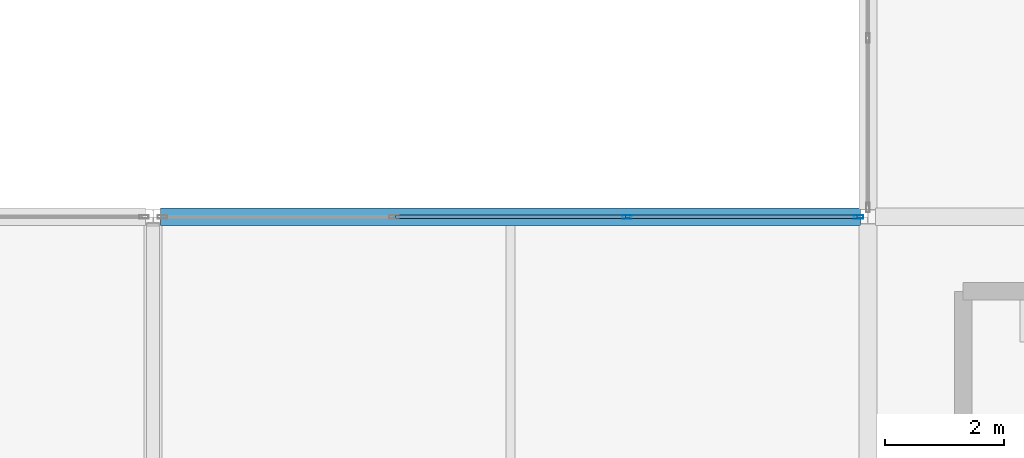
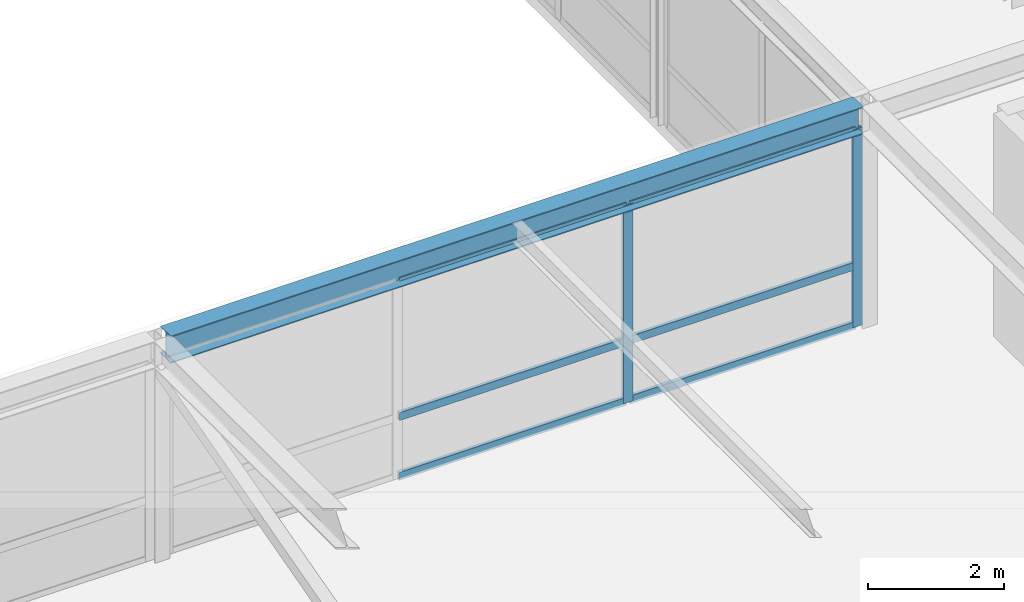
# One storey, part 38 of 111: 8 members, 1 beam, 1 element without a shape of its own.
"""IFC4 building model written with IfcOpenShell, lengths in metres."""

import ifcopenshell
import ifcopenshell.guid

model = None  # the IFC model being written
_history = None  # IfcOwnerHistory: only IFC2X3 demands one
_inside = {}  # id of a spatial element -> (the spatial element, [elements in it])
_under = {}  # id of a project, library or spatial element -> (it, [spatial elements below it])
_declared = {}  # id of a project -> (the project, [libraries it declares])
_typed = {}  # id of a type object -> (the type object, [elements of that type])
_made_of = {}  # id of a material, layer set ... -> (it, [elements and type objects made of it])


def new_model(schema):
    """Start an empty IFC model of exactly this schema.

    Asked for "IFC4X3", IfcOpenShell would pick the latest addendum, in which some entities
    have other attributes; the version numbers below select the first issue.
    IFC2X3 requires an IfcOwnerHistory on every rooted entity: one is made here for all.
    """
    global model, _history
    if schema == "IFC4X3":
        model = ifcopenshell.file(schema_version=(4, 3, 0, 0))
    else:
        model = ifcopenshell.file(schema=schema)
    _inside.clear()
    _under.clear()
    _declared.clear()
    _typed.clear()
    _made_of.clear()
    _history = None
    if model.schema == "IFC2X3":
        org = make("IfcOrganization", Name="unknown")
        user = make(
            "IfcPersonAndOrganization",
            ThePerson=make("IfcPerson", FamilyName="unknown"),
            TheOrganization=org,
        )
        app = make(
            "IfcApplication",
            ApplicationDeveloper=org,
            Version="unknown",
            ApplicationFullName="unknown",
            ApplicationIdentifier="unknown",
        )
        _history = make(
            "IfcOwnerHistory",
            OwningUser=user,
            OwningApplication=app,
            ChangeAction="ADDED",
            CreationDate=0,
        )
    return model


def make(cls, **values):
    """One entity of the class cls with the attributes given. An attribute that is None is left unset."""
    return model.create_entity(
        cls, **{name: value for name, value in values.items() if value is not None}
    )


def rooted(cls, **values):
    """An entity with a GlobalId (a new one), such as an element, a storey or a relation."""
    return make(cls, GlobalId=ifcopenshell.guid.new(), OwnerHistory=_history, **values)


def si_unit(unit_type, name, prefix=None):
    """IfcSIUnit, for example si_unit("LENGTHUNIT", "METRE", prefix="MILLI")."""
    return make("IfcSIUnit", UnitType=unit_type, Prefix=prefix, Name=name)


def assignment(units):
    """IfcUnitAssignment: the units of a project."""
    return None if units is None else make("IfcUnitAssignment", Units=units)


def point(xyz):
    """IfcCartesianPoint."""
    return None if xyz is None else make("IfcCartesianPoint", Coordinates=xyz)


def direction(xyz):
    """IfcDirection."""
    return None if xyz is None else make("IfcDirection", DirectionRatios=xyz)


def frame(location, z_axis=None, x_axis=None):
    """IfcAxis2Placement3D, a coordinate frame: its origin and axes. An axis left out is left unset."""
    return make(
        "IfcAxis2Placement3D",
        Location=point(location),
        Axis=direction(z_axis),
        RefDirection=direction(x_axis),
    )


def frame_2d(location, x_axis=None):
    """IfcAxis2Placement2D, a coordinate frame in the plane: its origin and x axis."""
    return make(
        "IfcAxis2Placement2D", Location=point(location), RefDirection=direction(x_axis)
    )


def origin():
    """The frame at (0, 0, 0) with its axes left unset."""
    return frame((0.0, 0.0, 0.0))


def origin_2d():
    """The frame at (0, 0) in the plane with its x axis left unset."""
    return frame_2d((0.0, 0.0))


def place(relative_to, where):
    """IfcLocalPlacement: puts the frame where relative to a parent placement (None: the world)."""
    return make(
        "IfcLocalPlacement", PlacementRelTo=relative_to, RelativePlacement=where
    )


def context(
    kind, dimensions, precision=None, world=None, true_north=None, identifier=None
):
    """IfcGeometricRepresentationContext, for example the 3D "Model" context."""
    return make(
        "IfcGeometricRepresentationContext",
        ContextIdentifier=identifier,
        ContextType=kind,
        CoordinateSpaceDimension=dimensions,
        Precision=precision,
        WorldCoordinateSystem=world,
        TrueNorth=true_north,
    )


def subcontext(parent, identifier, kind, view, scale=None):
    """IfcGeometricRepresentationSubContext, for example "Body" below "Model"."""
    return make(
        "IfcGeometricRepresentationSubContext",
        ContextIdentifier=identifier,
        ContextType=kind,
        ParentContext=parent,
        TargetScale=scale,
        TargetView=view,
    )


def project(units=None, contexts=None):
    """IfcProject with its units and contexts."""
    return rooted(
        "IfcProject",
        Name="project",
        RepresentationContexts=contexts,
        UnitsInContext=assignment(units),
    )


def spatial(cls, under=None, at=None, **own):
    """A site, building, storey or space (cls), placed at a placement, below another one or the project."""
    s = rooted(cls, ObjectPlacement=at, **own)
    if under is not None:
        _under.setdefault(under.id(), (under, []))[1].append(s)
    return s


def profile(cls, at=None, kind="AREA", **sizes):
    """A parametric profile (cls). Its sizes go by their IFC names, for example OverallWidth=200.0."""
    return make(cls, ProfileType=kind, Position=at, **sizes)


def hollow_rectangle(**sizes):
    """IfcRectangleHollowProfileDef."""
    return profile("IfcRectangleHollowProfileDef", **sizes)


def i_section(**sizes):
    """IfcIShapeProfileDef."""
    return profile("IfcIShapeProfileDef", **sizes)


def extrude(swept, where, along, depth):
    """IfcExtrudedAreaSolid: the profile swept, set in the frame where, extruded along a direction by depth."""
    return make(
        "IfcExtrudedAreaSolid",
        SweptArea=swept,
        Position=where,
        ExtrudedDirection=direction(along),
        Depth=depth,
    )


def shape(context_of_items, identifier, shape_type, items):
    """IfcShapeRepresentation: the items that make up one representation, for example the "Body"."""
    return make(
        "IfcShapeRepresentation",
        ContextOfItems=context_of_items,
        RepresentationIdentifier=identifier,
        RepresentationType=shape_type,
        Items=items,
    )


def material(Name=None, Category=None):
    """IfcMaterial."""
    return make("IfcMaterial", Name=Name, Category=Category)


def layer(
    of_material, thickness, ventilated=None, Name=None, Category=None, Priority=None
):
    """IfcMaterialLayer: one layer of a wall or slab, of a material (None: an air gap)."""
    return make(
        "IfcMaterialLayer",
        Material=of_material,
        LayerThickness=thickness,
        IsVentilated=ventilated,
        Name=Name,
        Category=Category,
        Priority=Priority,
    )


def layer_set(layers, Name=None):
    """IfcMaterialLayerSet."""
    return make("IfcMaterialLayerSet", MaterialLayers=layers, LayerSetName=Name)


def material_profile(
    of_material, cross_section, Name=None, Category=None, Priority=None
):
    """IfcMaterialProfile: a cross section and its material."""
    return make(
        "IfcMaterialProfile",
        Name=Name,
        Material=of_material,
        Profile=cross_section,
        Priority=Priority,
        Category=Category,
    )


def profile_set(profiles, Name=None, composite=None):
    """IfcMaterialProfileSet."""
    return make(
        "IfcMaterialProfileSet",
        Name=Name,
        MaterialProfiles=profiles,
        CompositeProfile=composite,
    )


def made_of(thing, what):
    """Note that an element or type object is made of a material, layer set ...; save() writes the relation."""
    if what is not None:
        _made_of.setdefault(what.id(), (what, []))[1].append(thing)
    return thing


def type_object(cls, material=None, **own):
    """A type object (cls), such as IfcWallType, which elements share."""
    return made_of(rooted(cls, **own), material)


def element(
    cls,
    number,
    at=None,
    inside=None,
    cuts=None,
    type_object=None,
    material=None,
    context=None,
    identifier="Body",
    shape_type=None,
    held_by="IfcProductDefinitionShape",
    body=None,
    shapes=None,
    **own,
):
    """One element of the class cls, such as IfcWall. Its Tag is "e" and its number.

    at: its placement. inside: the storey or other place that contains it. cuts: it is an
    opening in that element (IfcRelVoidsElement). A single representation is given by context,
    identifier, shape_type and body (its items); several are given by shapes. held_by: the class
    of the entity that holds the representations. save() writes the other relations.
    """
    e = rooted(cls, Tag="e%d" % number, ObjectPlacement=at, **own)
    if body is not None:
        shapes = [shape(context, identifier, shape_type, body)]
    if shapes is not None:
        e.Representation = make(held_by, Representations=shapes)
    if inside is not None:
        _inside.setdefault(inside.id(), (inside, []))[1].append(e)
    if cuts is not None:
        rooted(
            "IfcRelVoidsElement", RelatingBuildingElement=cuts, RelatedOpeningElement=e
        )
    if type_object is not None:
        _typed.setdefault(type_object.id(), (type_object, []))[1].append(e)
    return made_of(e, material)


def aggregate(whole, parts):
    """IfcRelAggregates: a whole, such as a stair, and the parts it consists of."""
    return rooted("IfcRelAggregates", RelatingObject=whole, RelatedObjects=parts)


def save(model, path):
    """Write the relations noted so far, then the file.

    IfcRelAggregates (storeys below a building ...), IfcRelContainedInSpatialStructure (elements
    in a storey), IfcRelDefinesByType, IfcRelAssociatesMaterial and IfcRelDeclares: one each for
    every whole, place, type object, material and project.
    """
    for whole, parts in _under.values():
        aggregate(whole, parts)
    for where, things in _inside.values():
        rooted(
            "IfcRelContainedInSpatialStructure",
            RelatedElements=things,
            RelatingStructure=where,
        )
    for kind, things in _typed.values():
        rooted("IfcRelDefinesByType", RelatedObjects=things, RelatingType=kind)
    for what, things in _made_of.values():
        rooted("IfcRelAssociatesMaterial", RelatedObjects=things, RelatingMaterial=what)
    for by, libraries in _declared.values():
        rooted("IfcRelDeclares", RelatingContext=by, RelatedDefinitions=libraries)
    model.write(path)


model = new_model("IFC4")

# Units and contexts
model_context = context("Model", 3, precision=1e-05, world=origin(), true_north=direction((0.0, 1.0)))
body_context = subcontext(model_context, "Body", "Model", "MODEL_VIEW")
ifc_project = project(units=[si_unit("LENGTHUNIT", "METRE"), si_unit("AREAUNIT", "SQUARE_METRE"), si_unit("VOLUMEUNIT", "CUBIC_METRE"), si_unit("PLANEANGLEUNIT", "RADIAN"), si_unit("MASSUNIT", "GRAM", prefix="KILO")], contexts=[model_context])

# Site, building, storey
site_placement = place(None, origin())
site = spatial("IfcSite", under=ifc_project, at=site_placement, CompositionType="ELEMENT")
building_placement = place(site_placement, origin())
building = spatial("IfcBuilding", under=site, at=building_placement, Name="Zlatovratsky Civic Hall", CompositionType="ELEMENT")
storey_placement = place(building_placement, frame((0.0, 0.0, 16.5)))
storey = spatial("IfcBuildingStorey", under=building, at=storey_placement, Name="L04", CompositionType="ELEMENT", Elevation=16.5)

# Beam
ifc_material_1 = material(Name="Steel S355", Category="steel")
ifc_material_profile_1 = material_profile(ifc_material_1, i_section(OverallWidth=0.300048828125, OverallDepth=0.487060546875, WebThickness=0.014404296875, FlangeThickness=0.017578125, FilletRadius=0.02392578125, at=origin_2d()), Name="50Sh2")
ifc_profile_set_1 = profile_set([ifc_material_profile_1], Name="Steel S355")
beam_type = type_object("IfcBeamType", Name="Beam_ArchiveGirder_50Sh2", PredefinedType="BEAM", material=ifc_profile_set_1)
beam_placement = place(storey_placement, frame((36.125, 30.0, 3.756591796875), z_axis=(1.0, 0.0, 0.0), x_axis=(0.0, 1.0, 0.0)))
element("IfcBeam", 1, at=beam_placement, inside=storey, type_object=beam_type, Name="BM-3260", PredefinedType="BEAM", context=body_context, shape_type="SweptSolid", body=[
    extrude(i_section(OverallWidth=0.300048828125, OverallDepth=0.487060546875, WebThickness=0.014404296875, FlangeThickness=0.017578125, FilletRadius=0.02392578125, at=origin_2d()), origin(), (0.0, 0.0, 1.0), 11.75),
])

# Curtain wall, members
ifc_material_2 = material(Name="Anodised bronze aluminium", Category="aluminium")
ifc_layer = layer(ifc_material_2, 0.159912109375)
ifc_layer_set = layer_set([ifc_layer], Name="Anodised bronze aluminium")
curtain_wall_type = type_object("IfcCurtainWallType", Name="CurtainWall_Bronze_11750x3550_17", PredefinedType="NOTDEFINED", material=ifc_layer_set)
curtain_wall_placement = place(storey_placement, origin())
curtain_wall = element("IfcCurtainWall", 2, at=curtain_wall_placement, inside=storey, type_object=curtain_wall_type, Name="CW-095", PredefinedType="NOTDEFINED")
ifc_material_profile_2 = material_profile(ifc_material_2, hollow_rectangle(XDim=0.06005859375, YDim=0.159912109375, WallThickness=0.00390625, at=origin_2d()), Name="ALU 60x160x4")
ifc_profile_set_2 = profile_set([ifc_material_profile_2], Name="Anodised bronze aluminium")
member_type_1 = type_object("IfcMemberType", Name="CW_Mullion_60x160", PredefinedType="MULLION", material=ifc_profile_set_2)
member_1_placement = place(storey_placement, frame((43.958251953125, 30.0, 0.0), z_axis=(0.0, 0.0, 1.0), x_axis=(0.0, 1.0, 0.0)))
member_1 = element("IfcMember", 3, at=member_1_placement, type_object=member_type_1, Name="CW-17 mullion 3", PredefinedType="MULLION", context=body_context, shape_type="SweptSolid", body=[
    extrude(hollow_rectangle(XDim=0.06005859375, YDim=0.159912109375, WallThickness=0.00390625, at=origin_2d()), origin(), (0.0, 0.0, 1.0), 3.550048828125),
])
member_2_placement = place(storey_placement, frame((47.844970703125, 30.0, 0.0), z_axis=(0.0, 0.0, 1.0), x_axis=(0.0, 1.0, 0.0)))
member_2 = element("IfcMember", 4, at=member_2_placement, type_object=member_type_1, Name="CW-17 mullion 4", PredefinedType="MULLION", context=body_context, shape_type="SweptSolid", body=[
    extrude(hollow_rectangle(XDim=0.06005859375, YDim=0.159912109375, WallThickness=0.00390625, at=origin_2d()), origin(), (0.0, 0.0, 1.0), 3.550048828125),
])
ifc_material_profile_3 = material_profile(ifc_material_2, hollow_rectangle(XDim=0.06005859375, YDim=0.139892578125, WallThickness=0.00390625, at=origin_2d()), Name="ALU 60x140x4")
ifc_profile_set_3 = profile_set([ifc_material_profile_3], Name="Anodised bronze aluminium")
member_type_2 = type_object("IfcMemberType", Name="CW_Transom_60x140", PredefinedType="USERDEFINED", material=ifc_profile_set_3)
member_3_placement = place(storey_placement, frame((40.07177734375, 30.0, 0.030029296875), z_axis=(1.0, 0.0, 0.0), x_axis=(0.0, 1.0, 0.0)))
member_3 = element("IfcMember", 5, at=member_3_placement, type_object=member_type_2, Name="CW-17 transom 2.1", ObjectType="TRANSOM", PredefinedType="USERDEFINED", context=body_context, shape_type="SweptSolid", body=[
    extrude(hollow_rectangle(XDim=0.06005859375, YDim=0.139892578125, WallThickness=0.00390625, at=origin_2d()), origin(), (0.0, 0.0, 1.0), 3.8564453125),
])
member_4_placement = place(storey_placement, frame((40.07177734375, 30.0, 1.10009765625), z_axis=(1.0, 0.0, 0.0), x_axis=(0.0, 1.0, 0.0)))
member_4 = element("IfcMember", 6, at=member_4_placement, type_object=member_type_2, Name="CW-17 transom 2.2", ObjectType="TRANSOM", PredefinedType="USERDEFINED", context=body_context, shape_type="SweptSolid", body=[
    extrude(hollow_rectangle(XDim=0.06005859375, YDim=0.139892578125, WallThickness=0.00390625, at=origin_2d()), origin(), (0.0, 0.0, 1.0), 3.8564453125),
])
member_5_placement = place(storey_placement, frame((40.07177734375, 30.0, 3.52001953125), z_axis=(1.0, 0.0, 0.0), x_axis=(0.0, 1.0, 0.0)))
member_5 = element("IfcMember", 7, at=member_5_placement, type_object=member_type_2, Name="CW-17 transom 2.3", ObjectType="TRANSOM", PredefinedType="USERDEFINED", context=body_context, shape_type="SweptSolid", body=[
    extrude(hollow_rectangle(XDim=0.06005859375, YDim=0.139892578125, WallThickness=0.00390625, at=origin_2d()), origin(), (0.0, 0.0, 1.0), 3.8564453125),
])
member_6_placement = place(storey_placement, frame((43.98828125, 30.0, 0.030029296875), z_axis=(1.0, 0.0, 0.0), x_axis=(0.0, 1.0, 0.0)))
member_6 = element("IfcMember", 8, at=member_6_placement, type_object=member_type_2, Name="CW-17 transom 3.1", ObjectType="TRANSOM", PredefinedType="USERDEFINED", context=body_context, shape_type="SweptSolid", body=[
    extrude(hollow_rectangle(XDim=0.06005859375, YDim=0.139892578125, WallThickness=0.00390625, at=origin_2d()), origin(), (0.0, 0.0, 1.0), 3.82666015625),
])
member_7_placement = place(storey_placement, frame((43.98828125, 30.0, 1.10009765625), z_axis=(1.0, 0.0, 0.0), x_axis=(0.0, 1.0, 0.0)))
member_7 = element("IfcMember", 9, at=member_7_placement, type_object=member_type_2, Name="CW-17 transom 3.2", ObjectType="TRANSOM", PredefinedType="USERDEFINED", context=body_context, shape_type="SweptSolid", body=[
    extrude(hollow_rectangle(XDim=0.06005859375, YDim=0.139892578125, WallThickness=0.00390625, at=origin_2d()), origin(), (0.0, 0.0, 1.0), 3.82666015625),
])
member_8_placement = place(storey_placement, frame((43.98828125, 30.0, 3.52001953125), z_axis=(1.0, 0.0, 0.0), x_axis=(0.0, 1.0, 0.0)))
member_8 = element("IfcMember", 10, at=member_8_placement, type_object=member_type_2, Name="CW-17 transom 3.3", ObjectType="TRANSOM", PredefinedType="USERDEFINED", context=body_context, shape_type="SweptSolid", body=[
    extrude(hollow_rectangle(XDim=0.06005859375, YDim=0.139892578125, WallThickness=0.00390625, at=origin_2d()), origin(), (0.0, 0.0, 1.0), 3.82666015625),
])
aggregate(curtain_wall, [member_1, member_2, member_3, member_4, member_5, member_6, member_7, member_8])

save(model, "model.ifc")
